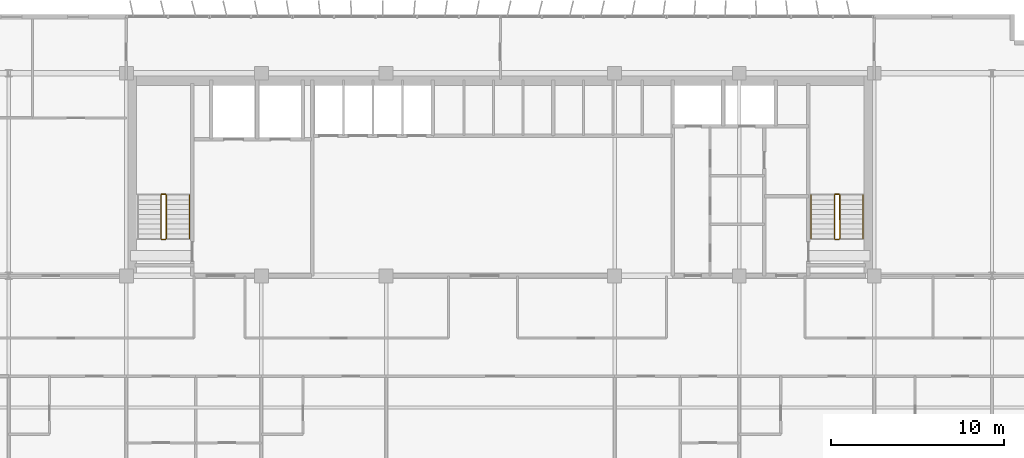
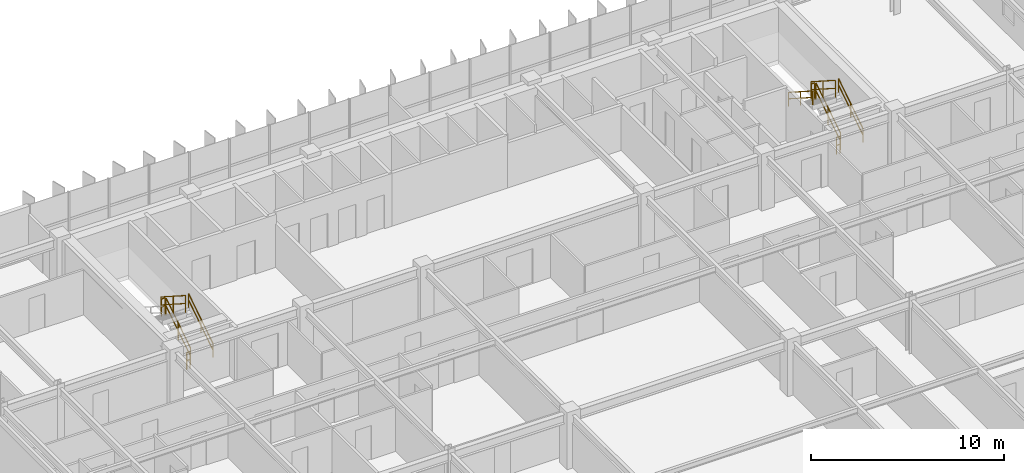
# One storey, part 21 of 22: 11 railings.
"""IFC4 building model written with IfcOpenShell, lengths in metres."""

from ifc_helpers import new_model, si_unit, direction, frame, origin, origin_2d, place, context, subcontext, project, spatial, rectangle, extrude, material, type_object, element, save


model = new_model("IFC4")

# Units and contexts
model_context = context("Model", 3, precision=1e-05, world=origin(), true_north=direction((0.0, 1.0)))
body_context = subcontext(model_context, "Body", "Model", "MODEL_VIEW")
ifc_project = project(units=[si_unit("LENGTHUNIT", "METRE"), si_unit("AREAUNIT", "SQUARE_METRE"), si_unit("VOLUMEUNIT", "CUBIC_METRE"), si_unit("PLANEANGLEUNIT", "RADIAN"), si_unit("MASSUNIT", "GRAM", prefix="KILO")], contexts=[model_context])

# Site, building, storey
site_placement = place(None, origin())
site = spatial("IfcSite", under=ifc_project, at=site_placement, CompositionType="ELEMENT")
building_placement = place(site_placement, origin())
building = spatial("IfcBuilding", under=site, at=building_placement, Name="Trelvane Seafront Commons", CompositionType="ELEMENT")
storey_placement = place(building_placement, frame((0.0, 0.0, 96.10009765625)))
storey = spatial("IfcBuildingStorey", under=building, at=storey_placement, Name="L24", CompositionType="ELEMENT", Elevation=96.10009765625)

# Railings
ifc_material = material(Name="Stainless steel balustrade", Category="steel")
railing_type_1 = type_object("IfcRailingType", Name="ARCH-SRL-GUARD", PredefinedType="GUARDRAIL", material=ifc_material)
railing_1_placement = place(storey_placement, frame((17.89990234375, 35.550048828125, 0.179931640625)))
element("IfcRailing", 1, at=railing_1_placement, inside=storey, type_object=railing_type_1, Name="L24 ST-1 stair guard 1", PredefinedType="GUARDRAIL", context=body_context, shape_type="SweptSolid", body=[
    extrude(rectangle(XDim=0.048095703125, YDim=0.048095703125, at=origin_2d()), frame((0.0, 0.0, 1.076171875), z_axis=(0.0, 0.841199657755, 0.540724639528), x_axis=(-1.0, 0.0, 0.0)), (0.0, 0.0, 1.0), 2.995849609375),
    extrude(rectangle(XDim=0.048095703125, YDim=0.048095703125, at=origin_2d()), frame((0.0, 0.0, 0.572021484375), z_axis=(0.0, 0.841199657755, 0.540724639528), x_axis=(-1.0, 0.0, 0.0)), (0.0, 0.0, 1.0), 2.995849609375),
    extrude(rectangle(XDim=0.0419921875, YDim=0.0419921875, at=origin_2d()), origin(), (0.0, 0.0, 1.0), 1.076171875),
    extrude(rectangle(XDim=0.0419921875, YDim=0.0419921875, at=origin_2d()), frame((0.0, 1.260009765625, 0.81005859375)), (0.0, 0.0, 1.0), 1.076171875),
    extrude(rectangle(XDim=0.0419921875, YDim=0.0419921875, at=origin_2d()), frame((0.0, 2.52001953125, 1.619873046875)), (0.0, 0.0, 1.0), 1.076171875),
])
railing_2_placement = place(storey_placement, frame((17.85009765625, 38.1201171875, 1.7998046875)))
element("IfcRailing", 2, at=railing_2_placement, inside=storey, type_object=railing_type_1, Name="L24 ST-1 stair guard 2", PredefinedType="GUARDRAIL", context=body_context, shape_type="SweptSolid", body=[
    extrude(rectangle(XDim=0.048095703125, YDim=0.048095703125, at=origin_2d()), frame((0.0, 0.0, 1.076171875), z_axis=(-1.0, 0.0, 0.0), x_axis=(0.0, -1.0, 0.0)), (0.0, 0.0, 1.0), 0.2001953125),
    extrude(rectangle(XDim=0.048095703125, YDim=0.048095703125, at=origin_2d()), frame((0.0, 0.0, 0.572021484375), z_axis=(-1.0, 0.0, 0.0), x_axis=(0.0, -1.0, 0.0)), (0.0, 0.0, 1.0), 0.2001953125),
    extrude(rectangle(XDim=0.0419921875, YDim=0.0419921875, at=origin_2d()), origin(), (0.0, 0.0, 1.0), 1.076171875),
    extrude(rectangle(XDim=0.0419921875, YDim=0.0419921875, at=origin_2d()), frame((-0.2001953125, 0.0, 0.0)), (0.0, 0.0, 1.0), 1.076171875),
])
railing_3_placement = place(storey_placement, frame((17.60009765625, 38.070068359375, 1.97998046875)))
element("IfcRailing", 3, at=railing_3_placement, inside=storey, type_object=railing_type_1, Name="L24 ST-1 stair guard 3", PredefinedType="GUARDRAIL", context=body_context, shape_type="SweptSolid", body=[
    extrude(rectangle(XDim=0.048095703125, YDim=0.048095703125, at=origin_2d()), frame((0.0, 0.0, 1.076171875), z_axis=(0.0, -0.841199657755, 0.540724639528), x_axis=(1.0, 0.0, 0.0)), (0.0, 0.0, 1.0), 2.995849609375),
    extrude(rectangle(XDim=0.048095703125, YDim=0.048095703125, at=origin_2d()), frame((0.0, 0.0, 0.572021484375), z_axis=(0.0, -0.841199657755, 0.540724639528), x_axis=(1.0, 0.0, 0.0)), (0.0, 0.0, 1.0), 2.995849609375),
    extrude(rectangle(XDim=0.0419921875, YDim=0.0419921875, at=origin_2d()), origin(), (0.0, 0.0, 1.0), 1.076171875),
    extrude(rectangle(XDim=0.0419921875, YDim=0.0419921875, at=origin_2d()), frame((0.0, -1.260009765625, 0.81005859375)), (0.0, 0.0, 1.0), 1.076171875),
    extrude(rectangle(XDim=0.0419921875, YDim=0.0419921875, at=origin_2d()), frame((0.0, -2.52001953125, 1.619873046875)), (0.0, 0.0, 1.0), 1.076171875),
])
railing_4_placement = place(storey_placement, frame((17.85009765625, 35.5, 0.0)))
element("IfcRailing", 4, at=railing_4_placement, inside=storey, type_object=railing_type_1, Name="L24 ST-1 stair guard 4", PredefinedType="GUARDRAIL", context=body_context, shape_type="SweptSolid", body=[
    extrude(rectangle(XDim=0.048095703125, YDim=0.048095703125, at=origin_2d()), frame((0.0, 0.0, 1.076171875), z_axis=(-1.0, 0.0, 0.0), x_axis=(0.0, -1.0, 0.0)), (0.0, 0.0, 1.0), 0.2001953125),
    extrude(rectangle(XDim=0.048095703125, YDim=0.048095703125, at=origin_2d()), frame((0.0, 0.0, 0.572021484375), z_axis=(-1.0, 0.0, 0.0), x_axis=(0.0, -1.0, 0.0)), (0.0, 0.0, 1.0), 0.2001953125),
    extrude(rectangle(XDim=0.0419921875, YDim=0.0419921875, at=origin_2d()), origin(), (0.0, 0.0, 1.0), 1.076171875),
    extrude(rectangle(XDim=0.0419921875, YDim=0.0419921875, at=origin_2d()), frame((-0.2001953125, 0.0, 0.0)), (0.0, 0.0, 1.0), 1.076171875),
])
railing_5_placement = place(storey_placement, frame((56.800048828125, 35.550048828125, 0.179931640625)))
element("IfcRailing", 5, at=railing_5_placement, inside=storey, type_object=railing_type_1, Name="L24 ST-2 stair guard 1", PredefinedType="GUARDRAIL", context=body_context, shape_type="SweptSolid", body=[
    extrude(rectangle(XDim=0.048095703125, YDim=0.048095703125, at=origin_2d()), frame((0.0, 0.0, 1.076171875), z_axis=(0.0, 0.841199657755, 0.540724639528), x_axis=(-1.0, 0.0, 0.0)), (0.0, 0.0, 1.0), 2.995849609375),
    extrude(rectangle(XDim=0.048095703125, YDim=0.048095703125, at=origin_2d()), frame((0.0, 0.0, 0.572021484375), z_axis=(0.0, 0.841199657755, 0.540724639528), x_axis=(-1.0, 0.0, 0.0)), (0.0, 0.0, 1.0), 2.995849609375),
    extrude(rectangle(XDim=0.0419921875, YDim=0.0419921875, at=origin_2d()), origin(), (0.0, 0.0, 1.0), 1.076171875),
    extrude(rectangle(XDim=0.0419921875, YDim=0.0419921875, at=origin_2d()), frame((0.0, 1.260009765625, 0.81005859375)), (0.0, 0.0, 1.0), 1.076171875),
    extrude(rectangle(XDim=0.0419921875, YDim=0.0419921875, at=origin_2d()), frame((0.0, 2.52001953125, 1.619873046875)), (0.0, 0.0, 1.0), 1.076171875),
])
railing_6_placement = place(storey_placement, frame((56.75, 38.1201171875, 1.7998046875)))
element("IfcRailing", 6, at=railing_6_placement, inside=storey, type_object=railing_type_1, Name="L24 ST-2 stair guard 2", PredefinedType="GUARDRAIL", context=body_context, shape_type="SweptSolid", body=[
    extrude(rectangle(XDim=0.048095703125, YDim=0.048095703125, at=origin_2d()), frame((0.0, 0.0, 1.076171875), z_axis=(-1.0, 0.0, 0.0), x_axis=(0.0, -1.0, 0.0)), (0.0, 0.0, 1.0), 0.199951171875),
    extrude(rectangle(XDim=0.048095703125, YDim=0.048095703125, at=origin_2d()), frame((0.0, 0.0, 0.572021484375), z_axis=(-1.0, 0.0, 0.0), x_axis=(0.0, -1.0, 0.0)), (0.0, 0.0, 1.0), 0.199951171875),
    extrude(rectangle(XDim=0.0419921875, YDim=0.0419921875, at=origin_2d()), origin(), (0.0, 0.0, 1.0), 1.076171875),
    extrude(rectangle(XDim=0.0419921875, YDim=0.0419921875, at=origin_2d()), frame((-0.199951171875, 0.0, 0.0)), (0.0, 0.0, 1.0), 1.076171875),
])
railing_7_placement = place(storey_placement, frame((56.5, 38.070068359375, 1.97998046875)))
element("IfcRailing", 7, at=railing_7_placement, inside=storey, type_object=railing_type_1, Name="L24 ST-2 stair guard 3", PredefinedType="GUARDRAIL", context=body_context, shape_type="SweptSolid", body=[
    extrude(rectangle(XDim=0.048095703125, YDim=0.048095703125, at=origin_2d()), frame((0.0, 0.0, 1.076171875), z_axis=(0.0, -0.841199657755, 0.540724639528), x_axis=(1.0, 0.0, 0.0)), (0.0, 0.0, 1.0), 2.995849609375),
    extrude(rectangle(XDim=0.048095703125, YDim=0.048095703125, at=origin_2d()), frame((0.0, 0.0, 0.572021484375), z_axis=(0.0, -0.841199657755, 0.540724639528), x_axis=(1.0, 0.0, 0.0)), (0.0, 0.0, 1.0), 2.995849609375),
    extrude(rectangle(XDim=0.0419921875, YDim=0.0419921875, at=origin_2d()), origin(), (0.0, 0.0, 1.0), 1.076171875),
    extrude(rectangle(XDim=0.0419921875, YDim=0.0419921875, at=origin_2d()), frame((0.0, -1.260009765625, 0.81005859375)), (0.0, 0.0, 1.0), 1.076171875),
    extrude(rectangle(XDim=0.0419921875, YDim=0.0419921875, at=origin_2d()), frame((0.0, -2.52001953125, 1.619873046875)), (0.0, 0.0, 1.0), 1.076171875),
])
railing_8_placement = place(storey_placement, frame((56.75, 35.5, 0.0)))
element("IfcRailing", 8, at=railing_8_placement, inside=storey, type_object=railing_type_1, Name="L24 ST-2 stair guard 4", PredefinedType="GUARDRAIL", context=body_context, shape_type="SweptSolid", body=[
    extrude(rectangle(XDim=0.048095703125, YDim=0.048095703125, at=origin_2d()), frame((0.0, 0.0, 1.076171875), z_axis=(-1.0, 0.0, 0.0), x_axis=(0.0, -1.0, 0.0)), (0.0, 0.0, 1.0), 0.199951171875),
    extrude(rectangle(XDim=0.048095703125, YDim=0.048095703125, at=origin_2d()), frame((0.0, 0.0, 0.572021484375), z_axis=(-1.0, 0.0, 0.0), x_axis=(0.0, -1.0, 0.0)), (0.0, 0.0, 1.0), 0.199951171875),
    extrude(rectangle(XDim=0.0419921875, YDim=0.0419921875, at=origin_2d()), origin(), (0.0, 0.0, 1.0), 1.076171875),
    extrude(rectangle(XDim=0.0419921875, YDim=0.0419921875, at=origin_2d()), frame((-0.199951171875, 0.0, 0.0)), (0.0, 0.0, 1.0), 1.076171875),
])
railing_type_2 = type_object("IfcRailingType", Name="ARCH-SRL-HAND", PredefinedType="HANDRAIL", material=ifc_material)
for number, where, name in (
    (9, (19.25, 35.550048828125, 0.179931640625), "L24 ST-1 stair handrail 1"),
    (10, (58.14990234375, 35.550048828125, 0.179931640625), "L24 ST-2 stair handrail 1"),
):
    element("IfcRailing", number, at=place(storey_placement, frame(where)), inside=storey, type_object=railing_type_2, Name=name, PredefinedType="HANDRAIL", context=body_context, shape_type="SweptSolid", body=[
        extrude(rectangle(XDim=0.048095703125, YDim=0.048095703125, at=origin_2d()), frame((0.0, 0.0, 0.8759765625), z_axis=(0.0, 0.841199657755, 0.540724639528), x_axis=(-1.0, 0.0, 0.0)), (0.0, 0.0, 1.0), 2.995849609375),
        extrude(rectangle(XDim=0.048095703125, YDim=0.048095703125, at=origin_2d()), frame((0.0, 0.0, 0.468017578125), z_axis=(0.0, 0.841199657755, 0.540724639528), x_axis=(-1.0, 0.0, 0.0)), (0.0, 0.0, 1.0), 2.995849609375),
        extrude(rectangle(XDim=0.0419921875, YDim=0.0419921875, at=origin_2d()), origin(), (0.0, 0.0, 1.0), 0.8759765625),
        extrude(rectangle(XDim=0.0419921875, YDim=0.0419921875, at=origin_2d()), frame((0.0, 1.260009765625, 0.81005859375)), (0.0, 0.0, 1.0), 0.8759765625),
        extrude(rectangle(XDim=0.0419921875, YDim=0.0419921875, at=origin_2d()), frame((0.0, 2.52001953125, 1.619873046875)), (0.0, 0.0, 1.0), 0.8759765625),
    ])
railing_9_placement = place(storey_placement, frame((55.14990234375, 38.070068359375, 1.97998046875)))
element("IfcRailing", 11, at=railing_9_placement, inside=storey, type_object=railing_type_2, Name="L24 ST-2 stair handrail 2", PredefinedType="HANDRAIL", context=body_context, shape_type="SweptSolid", body=[
    extrude(rectangle(XDim=0.048095703125, YDim=0.048095703125, at=origin_2d()), frame((0.0, 0.0, 0.8759765625), z_axis=(0.0, -0.841199657755, 0.540724639528), x_axis=(1.0, 0.0, 0.0)), (0.0, 0.0, 1.0), 2.995849609375),
    extrude(rectangle(XDim=0.048095703125, YDim=0.048095703125, at=origin_2d()), frame((0.0, 0.0, 0.468017578125), z_axis=(0.0, -0.841199657755, 0.540724639528), x_axis=(1.0, 0.0, 0.0)), (0.0, 0.0, 1.0), 2.995849609375),
    extrude(rectangle(XDim=0.0419921875, YDim=0.0419921875, at=origin_2d()), origin(), (0.0, 0.0, 1.0), 0.8759765625),
    extrude(rectangle(XDim=0.0419921875, YDim=0.0419921875, at=origin_2d()), frame((0.0, -1.260009765625, 0.81005859375)), (0.0, 0.0, 1.0), 0.8759765625),
    extrude(rectangle(XDim=0.0419921875, YDim=0.0419921875, at=origin_2d()), frame((0.0, -2.52001953125, 1.619873046875)), (0.0, 0.0, 1.0), 0.8759765625),
])

save(model, "model.ifc")
